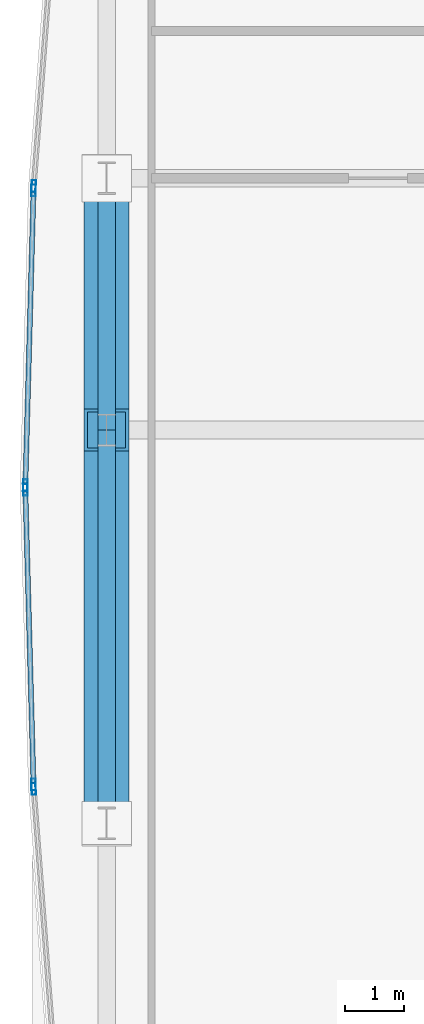
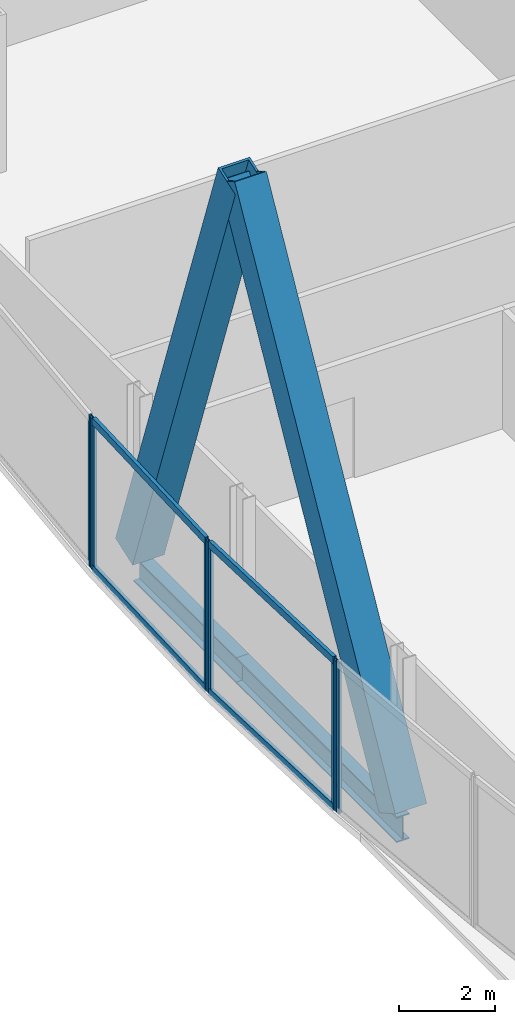
# One storey, part 10 of 35: 12 members, 2 beams, 4 elements without a shape of their own.
"""IFC4 building model written with IfcOpenShell, lengths in metres."""

from ifc_helpers import new_model, si_unit, direction, frame, origin, origin_2d, place, context, subcontext, project, spatial, hollow_rectangle, i_section, extrude, material, material_profile, profile_set, type_object, element, aggregate, save


model = new_model("IFC4")

# Units and contexts
model_context = context("Model", 3, precision=1e-05, world=origin(), true_north=direction((0.0, 1.0)))
body_context = subcontext(model_context, "Body", "Model", "MODEL_VIEW")
ifc_project = project(units=[si_unit("LENGTHUNIT", "METRE"), si_unit("AREAUNIT", "SQUARE_METRE"), si_unit("VOLUMEUNIT", "CUBIC_METRE"), si_unit("PLANEANGLEUNIT", "RADIAN"), si_unit("MASSUNIT", "GRAM", prefix="KILO")], contexts=[model_context])

# Site, building, storey
site_placement = place(None, origin())
site = spatial("IfcSite", under=ifc_project, at=site_placement, CompositionType="ELEMENT")
building_placement = place(site_placement, origin())
building = spatial("IfcBuilding", under=site, at=building_placement, Name="Khoronbel Lancet Exchange", CompositionType="ELEMENT")
storey_placement = place(building_placement, frame((0.0, 0.0, 25.800048828125)))
storey = spatial("IfcBuildingStorey", under=building, at=storey_placement, Name="L05", CompositionType="ELEMENT", Elevation=25.800048828125)

# Beams
ifc_material_1 = material(Name="Steel S355", Category="steel")
ifc_material_profile_1 = material_profile(ifc_material_1, i_section(OverallWidth=0.300048828125, OverallDepth=0.64990234375, WebThickness=0.01611328125, FlangeThickness=0.031005859375, at=origin_2d()), Name="HEB 650")
ifc_profile_set_1 = profile_set([ifc_material_profile_1], Name="Steel S355")
beam_type = type_object("IfcBeamType", Name="BM-BSP1", PredefinedType="SPANDREL", material=ifc_profile_set_1)
beam_1_placement = place(storey_placement, frame((1.27001953125, 35.699951171875, -0.505126953125), z_axis=(0.0, -1.0, 0.0), x_axis=(1.0, 0.0, 0.0)))
element("IfcBeam", 1, at=beam_1_placement, inside=storey, type_object=beam_type, Name="Level L05 perimeter spandrel beam SP16", PredefinedType="SPANDREL", context=body_context, shape_type="SweptSolid", body=[
    extrude(i_section(OverallWidth=0.300048828125, OverallDepth=0.64990234375, WebThickness=0.01611328125, FlangeThickness=0.031005859375, at=origin_2d()), origin(), (0.0, 0.0, 1.0), 4.27490234375),
])
beam_2_placement = place(storey_placement, frame((1.27001953125, 31.425048828125, -0.505126953125), z_axis=(0.0, -1.0, 0.0), x_axis=(1.0, 0.0, 0.0)))
element("IfcBeam", 2, at=beam_2_placement, inside=storey, type_object=beam_type, Name="Level L05 perimeter spandrel beam SP17", PredefinedType="SPANDREL", context=body_context, shape_type="SweptSolid", body=[
    extrude(i_section(OverallWidth=0.300048828125, OverallDepth=0.64990234375, WebThickness=0.01611328125, FlangeThickness=0.031005859375, at=origin_2d()), origin(), (0.0, 0.0, 1.0), 6.675048828125),
])

# Curtain wall, member
ifc_material_2 = material(Name="Low-E Solar Control Insulating Glass", Category="glass")
curtain_wall_type = type_object("IfcCurtainWallType", Name="CW-4", PredefinedType="NOTDEFINED", material=ifc_material_2)
curtain_wall_1_placement = place(storey_placement, origin())
curtain_wall_1 = element("IfcCurtainWall", 3, at=curtain_wall_1_placement, inside=storey, type_object=curtain_wall_type, Name="Unitised curtain wall CW-L05-E05", PredefinedType="NOTDEFINED")
ifc_material_3 = material(Name="Bronze-Anodised Aluminium 6063-T6", Category="aluminium")
ifc_material_profile_2 = material_profile(ifc_material_3, hollow_rectangle(XDim=0.074951171875, YDim=0.199951171875, WallThickness=0.0048828125, at=origin_2d()), Name="ALU MULLION 75x200")
ifc_profile_set_2 = profile_set([ifc_material_profile_2], Name="Bronze-Anodised Aluminium 6063-T6")
member_type_1 = type_object("IfcMemberType", Name="MEM-CWM2", PredefinedType="MULLION", material=ifc_profile_set_2)
member_1_placement = place(storey_placement, frame((0.033447265625, 25.333984375, 0.0), z_axis=(0.0, 0.0, 1.0), x_axis=(-0.997153744129, -0.075395030141, 0.0)))
member_1 = element("IfcMember", 4, at=member_1_placement, type_object=member_type_1, Name="CW4 mullion 2", PredefinedType="MULLION", context=body_context, shape_type="SweptSolid", body=[
    extrude(hollow_rectangle(XDim=0.074951171875, YDim=0.199951171875, WallThickness=0.0048828125, at=origin_2d()), origin(), (0.0, 0.0, 1.0), 3.820068359375),
])
aggregate(curtain_wall_1, [member_1])

# Curtain wall, members
curtain_wall_2_placement = place(storey_placement, origin())
curtain_wall_2 = element("IfcCurtainWall", 5, at=curtain_wall_2_placement, inside=storey, type_object=curtain_wall_type, Name="Unitised curtain wall CW-L05-E06", PredefinedType="NOTDEFINED")
member_2_placement = place(storey_placement, frame((0.029541015625, 25.40869140625, 0.0), z_axis=(0.0, 0.0, 1.0), x_axis=(-0.999617011286, -0.027673647157, 0.0)))
member_2 = element("IfcMember", 6, at=member_2_placement, type_object=member_type_1, Name="CW4 mullion 1", PredefinedType="MULLION", context=body_context, shape_type="SweptSolid", body=[
    extrude(hollow_rectangle(XDim=0.074951171875, YDim=0.199951171875, WallThickness=0.0048828125, at=origin_2d()), origin(), (0.0, 0.0, 1.0), 3.820068359375),
])
member_3_placement = place(storey_placement, frame((-0.10888671875, 30.41259765625, 0.0), z_axis=(0.0, 0.0, 1.0), x_axis=(-0.999617011286, -0.027673647157, 0.0)))
member_3 = element("IfcMember", 7, at=member_3_placement, type_object=member_type_1, Name="CW4 mullion 2", PredefinedType="MULLION", context=body_context, shape_type="SweptSolid", body=[
    extrude(hollow_rectangle(XDim=0.074951171875, YDim=0.199951171875, WallThickness=0.0048828125, at=origin_2d()), origin(), (0.0, 0.0, 1.0), 3.820068359375),
])

curtain_wall_3_placement = place(storey_placement, origin())
curtain_wall_3 = element("IfcCurtainWall", 8, at=curtain_wall_3_placement, inside=storey, type_object=curtain_wall_type, Name="Unitised curtain wall CW-L05-E07", PredefinedType="NOTDEFINED")
member_4_placement = place(storey_placement, frame((-0.10888671875, 30.487548828125, 0.0), z_axis=(0.0, 0.0, 1.0), x_axis=(-0.999617011286, 0.027673647157, 0.0)))
member_4 = element("IfcMember", 9, at=member_4_placement, type_object=member_type_1, Name="CW4 mullion 1", PredefinedType="MULLION", context=body_context, shape_type="SweptSolid", body=[
    extrude(hollow_rectangle(XDim=0.074951171875, YDim=0.199951171875, WallThickness=0.0048828125, at=origin_2d()), origin(), (0.0, 0.0, 1.0), 3.820068359375),
])
member_5_placement = place(storey_placement, frame((0.029541015625, 35.4912109375, 0.0), z_axis=(0.0, 0.0, 1.0), x_axis=(-0.999617011286, 0.027673647157, 0.0)))
member_5 = element("IfcMember", 10, at=member_5_placement, type_object=member_type_1, Name="CW4 mullion 2", PredefinedType="MULLION", context=body_context, shape_type="SweptSolid", body=[
    extrude(hollow_rectangle(XDim=0.074951171875, YDim=0.199951171875, WallThickness=0.0048828125, at=origin_2d()), origin(), (0.0, 0.0, 1.0), 3.820068359375),
])

# Curtain wall, member
curtain_wall_4_placement = place(storey_placement, origin())
curtain_wall_4 = element("IfcCurtainWall", 11, at=curtain_wall_4_placement, inside=storey, type_object=curtain_wall_type, Name="Unitised curtain wall CW-L05-E08", PredefinedType="NOTDEFINED")
member_6_placement = place(storey_placement, frame((0.033447265625, 35.566162109375, 0.0), z_axis=(0.0, 0.0, 1.0), x_axis=(-0.997153744129, 0.075395030141, 0.0)))
member_6 = element("IfcMember", 12, at=member_6_placement, type_object=member_type_1, Name="CW4 mullion 1", PredefinedType="MULLION", context=body_context, shape_type="SweptSolid", body=[
    extrude(hollow_rectangle(XDim=0.074951171875, YDim=0.199951171875, WallThickness=0.0048828125, at=origin_2d()), origin(), (0.0, 0.0, 1.0), 3.820068359375),
])
aggregate(curtain_wall_4, [member_6])

# Member
ifc_material_profile_3 = material_profile(ifc_material_3, hollow_rectangle(XDim=0.0849609375, YDim=0.179931640625, WallThickness=0.0048828125, at=origin_2d()), Name="ALU TRANSOM 85x180")
ifc_profile_set_3 = profile_set([ifc_material_profile_3], Name="Bronze-Anodised Aluminium 6063-T6")
member_type_2 = type_object("IfcMemberType", Name="MEM-CWT1", PredefinedType="USERDEFINED", material=ifc_profile_set_3)
member_7_placement = place(storey_placement, frame((0.028564453125, 25.4462890625, 0.04248046875), z_axis=(-0.027679107628, 0.999616860102, 0.0), x_axis=(-0.999616860102, -0.027679107628, 0.0)))
member_7 = element("IfcMember", 13, at=member_7_placement, type_object=member_type_2, Name="CW4 transom 1.1", ObjectType="TRANSOM", PredefinedType="USERDEFINED", context=body_context, shape_type="SweptSolid", body=[
    extrude(hollow_rectangle(XDim=0.0849609375, YDim=0.179931640625, WallThickness=0.0048828125, at=origin_2d()), origin(), (0.0, 0.0, 1.0), 4.9306640625),
])

member_8_placement = place(storey_placement, frame((0.028564453125, 25.4462890625, 3.77734375), z_axis=(-0.027679107628, 0.999616860102, 0.0), x_axis=(-0.999616860102, -0.027679107628, 0.0)))
member_8 = element("IfcMember", 14, at=member_8_placement, type_object=member_type_2, Name="CW4 transom 1.2", ObjectType="TRANSOM", PredefinedType="USERDEFINED", context=body_context, shape_type="SweptSolid", body=[
    extrude(hollow_rectangle(XDim=0.0849609375, YDim=0.179931640625, WallThickness=0.0048828125, at=origin_2d()), origin(), (0.0, 0.0, 1.0), 4.9306640625),
])

aggregate(curtain_wall_2, [member_2, member_3, member_7, member_8])

member_9_placement = place(storey_placement, frame((-0.10791015625, 30.52490234375, 0.04248046875), z_axis=(0.027679107628, 0.999616860102, 0.0), x_axis=(-0.999616860102, 0.027679107628, 0.0)))
member_9 = element("IfcMember", 15, at=member_9_placement, type_object=member_type_2, Name="CW4 transom 1.1", ObjectType="TRANSOM", PredefinedType="USERDEFINED", context=body_context, shape_type="SweptSolid", body=[
    extrude(hollow_rectangle(XDim=0.0849609375, YDim=0.179931640625, WallThickness=0.0048828125, at=origin_2d()), origin(), (0.0, 0.0, 1.0), 4.9306640625),
])

member_10_placement = place(storey_placement, frame((-0.10791015625, 30.52490234375, 3.77734375), z_axis=(0.027679107628, 0.999616860102, 0.0), x_axis=(-0.999616860102, 0.027679107628, 0.0)))
member_10 = element("IfcMember", 16, at=member_10_placement, type_object=member_type_2, Name="CW4 transom 1.2", ObjectType="TRANSOM", PredefinedType="USERDEFINED", context=body_context, shape_type="SweptSolid", body=[
    extrude(hollow_rectangle(XDim=0.0849609375, YDim=0.179931640625, WallThickness=0.0048828125, at=origin_2d()), origin(), (0.0, 0.0, 1.0), 4.9306640625),
])

aggregate(curtain_wall_3, [member_4, member_5, member_9, member_10])

# Members
ifc_material_4 = material(Name="Steel S460", Category="steel")
ifc_material_profile_4 = material_profile(ifc_material_4, hollow_rectangle(XDim=0.760009765625, YDim=0.760009765625, WallThickness=0.054931640625, at=origin_2d()), Name="BOX 760x760x55")
ifc_profile_set_4 = profile_set([ifc_material_profile_4], Name="Steel S460")
member_type_3 = type_object("IfcMemberType", Name="MEM-MB1", PredefinedType="BRACE", material=ifc_profile_set_4)
member_11_placement = place(storey_placement, frame((1.27001953125, 24.75, 0.0), z_axis=(0.0, 0.486109322328, 0.873898007061), x_axis=(-1.0, 0.0, 0.0)))
element("IfcMember", 17, at=member_11_placement, inside=storey, type_object=member_type_3, Name="Perimeter lancet brace tier 1 W-P-L", PredefinedType="BRACE", context=body_context, shape_type="SweptSolid", body=[
    extrude(hollow_rectangle(XDim=0.760009765625, YDim=0.760009765625, WallThickness=0.054931640625, at=origin_2d()), origin(), (0.0, 0.0, 1.0), 13.731689453125),
])
member_12_placement = place(storey_placement, frame((1.27001953125, 35.699951171875, 0.0), z_axis=(0.0, -0.335583554792, 0.94201044461), x_axis=(1.0, 0.0, 0.0)))
element("IfcMember", 18, at=member_12_placement, inside=storey, type_object=member_type_3, Name="Perimeter lancet brace tier 1 W-P-R", PredefinedType="BRACE", context=body_context, shape_type="SweptSolid", body=[
    extrude(hollow_rectangle(XDim=0.760009765625, YDim=0.760009765625, WallThickness=0.054931640625, at=origin_2d()), origin(), (0.0, 0.0, 1.0), 12.73876953125),
])

save(model, "model.ifc")
